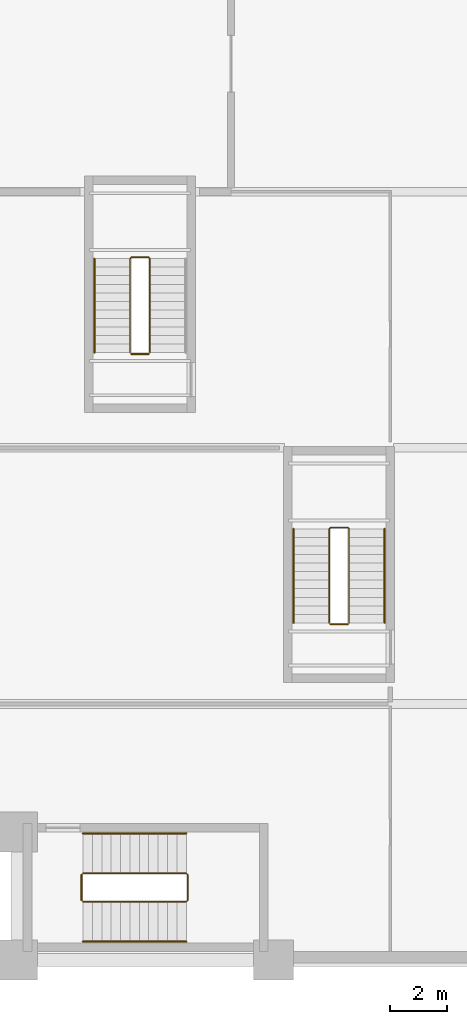
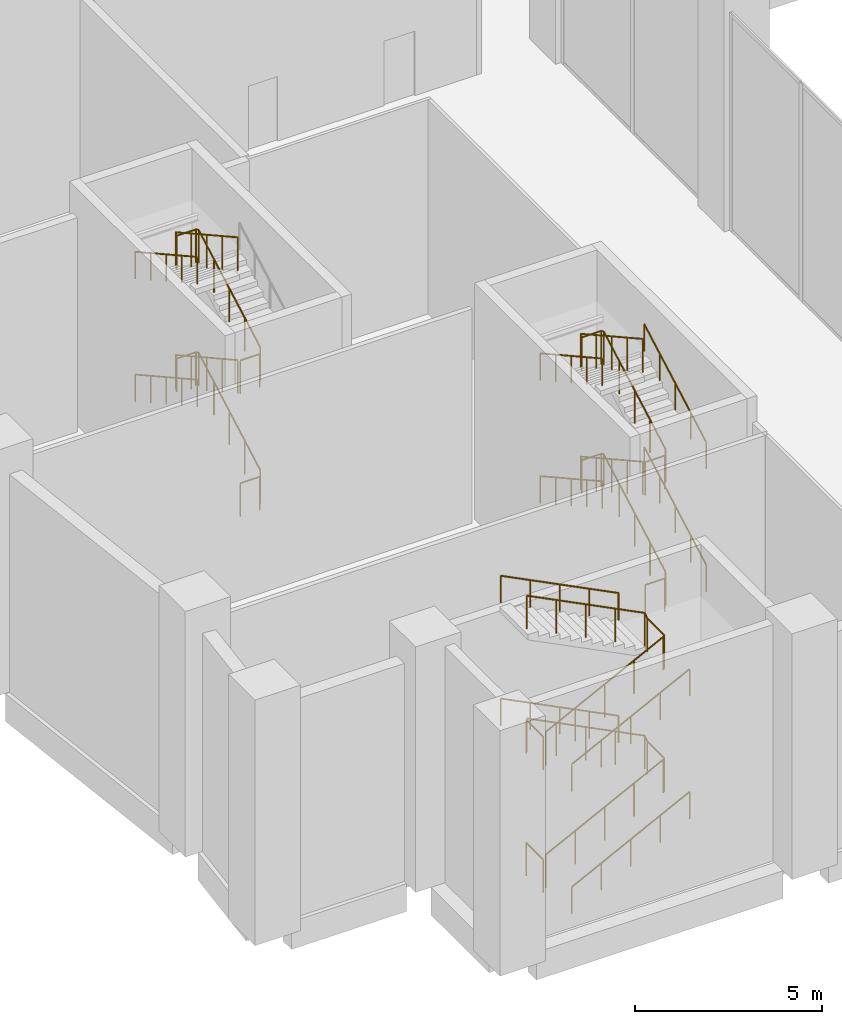
# One storey, part 16 of 19: 22 railings.
"""IFC4 building model written with IfcOpenShell, lengths in metres."""

from ifc_helpers import new_model, si_unit, direction, frame, origin, origin_2d, place, context, subcontext, project, spatial, circle, extrude, material, type_object, element, save


model = new_model("IFC4")

# Units and contexts
model_context = context("Model", 3, precision=1e-05, world=origin(), true_north=direction((0.0, 1.0)))
body_context = subcontext(model_context, "Body", "Model", "MODEL_VIEW")
ifc_project = project(units=[si_unit("LENGTHUNIT", "METRE"), si_unit("AREAUNIT", "SQUARE_METRE"), si_unit("VOLUMEUNIT", "CUBIC_METRE"), si_unit("PLANEANGLEUNIT", "RADIAN"), si_unit("MASSUNIT", "GRAM", prefix="KILO")], contexts=[model_context])

# Site, building, storey
site_placement = place(None, origin())
site = spatial("IfcSite", under=ifc_project, at=site_placement, CompositionType="ELEMENT")
building_placement = place(site_placement, origin())
building = spatial("IfcBuilding", under=site, at=building_placement, Name="Brondeck Convention Tower", CompositionType="ELEMENT")
storey_placement = place(building_placement, frame((0.0, 0.0, 19.5)))
storey = spatial("IfcBuildingStorey", under=building, at=storey_placement, Name="L03", CompositionType="ELEMENT", Elevation=19.5)

# Railings
ifc_material = material(Name="Steel S355", Category="steel")
railing_type_1 = type_object("IfcRailingType", Name="Stair guard 1100", PredefinedType="GUARDRAIL", material=ifc_material)
railing_1_placement = place(storey_placement, frame((9.14990234375, 21.35009765625, 0.166748046875)))
element("IfcRailing", 1, at=railing_1_placement, inside=storey, type_object=railing_type_1, Name="L03 ST-BE stair guard 1", PredefinedType="GUARDRAIL", context=body_context, shape_type="SweptSolid", body=[
    extrude(circle(Radius=0.02392578125, at=origin_2d()), frame((0.0, 0.0, 1.076171875), z_axis=(0.0, 0.874154225373, 0.485648422486), x_axis=(-1.0, 0.0, 0.0)), (0.0, 0.0, 1.0), 3.77490234375),
    extrude(circle(Radius=0.02392578125, at=origin_2d()), frame((0.0, 3.2998046875, 2.9091796875), z_axis=(-0.705375805398, 0.708833529934, 0.0), x_axis=(-0.708833529934, -0.705375805398, 0.0)), (0.0, 0.0, 1.0), 0.070556640625),
    extrude(circle(Radius=0.02392578125, at=origin_2d()), frame((-0.0498046875, 3.349853515625, 2.9091796875), z_axis=(-1.0, 0.0, 0.0), x_axis=(0.0, -1.0, 0.0)), (0.0, 0.0, 1.0), 0.60009765625),
    extrude(circle(Radius=0.02392578125, at=origin_2d()), frame((-0.64990234375, 3.349853515625, 2.9091796875), z_axis=(-0.27628659633, -0.27628659633, 0.920506074601), x_axis=(0.707106781187, -0.707106781187, 0.0)), (0.0, 0.0, 1.0), 0.18115234375),
    extrude(circle(Radius=0.02392578125, at=origin_2d()), frame((-0.699951171875, 3.2998046875, 3.076171875), z_axis=(0.0, -0.874154225373, 0.485648422486), x_axis=(1.0, 0.0, 0.0)), (0.0, 0.0, 1.0), 3.77490234375),
    extrude(circle(Radius=0.02099609375, at=origin_2d()), origin(), (0.0, 0.0, 1.0), 1.052001953125),
    extrude(circle(Radius=0.02099609375, at=origin_2d()), frame((0.0, 0.824951171875, 0.458251953125)), (0.0, 0.0, 1.0), 1.052001953125),
    extrude(circle(Radius=0.02099609375, at=origin_2d()), frame((0.0, 1.64990234375, 0.91650390625)), (0.0, 0.0, 1.0), 1.052001953125),
    extrude(circle(Radius=0.02099609375, at=origin_2d()), frame((0.0, 2.474853515625, 1.375)), (0.0, 0.0, 1.0), 1.052001953125),
    extrude(circle(Radius=0.02099609375, at=origin_2d()), frame((0.0, 3.2998046875, 1.833251953125)), (0.0, 0.0, 1.0), 1.052001953125),
    extrude(circle(Radius=0.02099609375, at=origin_2d()), frame((-0.0498046875, 3.349853515625, 1.833251953125)), (0.0, 0.0, 1.0), 1.052001953125),
    extrude(circle(Radius=0.02099609375, at=origin_2d()), frame((-0.64990234375, 3.349853515625, 1.833251953125)), (0.0, 0.0, 1.0), 1.052001953125),
    extrude(circle(Radius=0.02099609375, at=origin_2d()), frame((-0.699951171875, 3.2998046875, 2.0)), (0.0, 0.0, 1.0), 1.052001953125),
    extrude(circle(Radius=0.02099609375, at=origin_2d()), frame((-0.699951171875, 2.474853515625, 2.458251953125)), (0.0, 0.0, 1.0), 1.052001953125),
    extrude(circle(Radius=0.02099609375, at=origin_2d()), frame((-0.699951171875, 1.64990234375, 2.91650390625)), (0.0, 0.0, 1.0), 1.052001953125),
    extrude(circle(Radius=0.02099609375, at=origin_2d()), frame((-0.699951171875, 0.824951171875, 3.375)), (0.0, 0.0, 1.0), 1.052001953125),
    extrude(circle(Radius=0.02099609375, at=origin_2d()), frame((-0.699951171875, 0.0, 3.833251953125)), (0.0, 0.0, 1.0), 1.052001953125),
])
railing_2_placement = place(storey_placement, frame((9.10009765625, 21.300048828125, 4.0)))
element("IfcRailing", 2, at=railing_2_placement, inside=storey, type_object=railing_type_1, Name="L03 ST-BE stair guard 2", PredefinedType="GUARDRAIL", context=body_context, shape_type="SweptSolid", body=[
    extrude(circle(Radius=0.02392578125, at=origin_2d()), frame((0.0, 0.0, 1.076171875), z_axis=(-1.0, 0.0, 0.0), x_axis=(0.0, -1.0, 0.0)), (0.0, 0.0, 1.0), 0.60009765625),
    extrude(circle(Radius=0.02099609375, at=origin_2d()), origin(), (0.0, 0.0, 1.0), 1.052001953125),
    extrude(circle(Radius=0.02099609375, at=origin_2d()), frame((-0.60009765625, 0.0, 0.0)), (0.0, 0.0, 1.0), 1.052001953125),
])
railing_3_placement = place(storey_placement, frame((9.14990234375, 21.35009765625, 4.166748046875)))
element("IfcRailing", 3, at=railing_3_placement, inside=storey, type_object=railing_type_1, Name="L03 ST-BE stair guard 3", PredefinedType="GUARDRAIL", context=body_context, shape_type="SweptSolid", body=[
    extrude(circle(Radius=0.02392578125, at=origin_2d()), frame((0.0, 0.0, 1.076171875), z_axis=(0.0, 0.874154225373, 0.485648422486), x_axis=(-1.0, 0.0, 0.0)), (0.0, 0.0, 1.0), 3.77490234375),
    extrude(circle(Radius=0.02392578125, at=origin_2d()), frame((0.0, 3.2998046875, 2.9091796875), z_axis=(-0.705375805398, 0.708833529934, 0.0), x_axis=(-0.708833529934, -0.705375805398, 0.0)), (0.0, 0.0, 1.0), 0.070556640625),
    extrude(circle(Radius=0.02392578125, at=origin_2d()), frame((-0.0498046875, 3.349853515625, 2.9091796875), z_axis=(-1.0, 0.0, 0.0), x_axis=(0.0, -1.0, 0.0)), (0.0, 0.0, 1.0), 0.60009765625),
    extrude(circle(Radius=0.02392578125, at=origin_2d()), frame((-0.64990234375, 3.349853515625, 2.9091796875), z_axis=(-0.27628659633, -0.27628659633, 0.920506074601), x_axis=(0.707106781187, -0.707106781187, 0.0)), (0.0, 0.0, 1.0), 0.18115234375),
    extrude(circle(Radius=0.02392578125, at=origin_2d()), frame((-0.699951171875, 3.2998046875, 3.076171875), z_axis=(0.0, -0.874154225373, 0.485648422486), x_axis=(1.0, 0.0, 0.0)), (0.0, 0.0, 1.0), 3.77490234375),
    extrude(circle(Radius=0.02099609375, at=origin_2d()), origin(), (0.0, 0.0, 1.0), 1.052001953125),
    extrude(circle(Radius=0.02099609375, at=origin_2d()), frame((0.0, 0.824951171875, 0.458251953125)), (0.0, 0.0, 1.0), 1.052001953125),
    extrude(circle(Radius=0.02099609375, at=origin_2d()), frame((0.0, 1.64990234375, 0.91650390625)), (0.0, 0.0, 1.0), 1.052001953125),
    extrude(circle(Radius=0.02099609375, at=origin_2d()), frame((0.0, 2.474853515625, 1.375)), (0.0, 0.0, 1.0), 1.052001953125),
    extrude(circle(Radius=0.02099609375, at=origin_2d()), frame((0.0, 3.2998046875, 1.833251953125)), (0.0, 0.0, 1.0), 1.052001953125),
    extrude(circle(Radius=0.02099609375, at=origin_2d()), frame((-0.0498046875, 3.349853515625, 1.833251953125)), (0.0, 0.0, 1.0), 1.052001953125),
    extrude(circle(Radius=0.02099609375, at=origin_2d()), frame((-0.64990234375, 3.349853515625, 1.833251953125)), (0.0, 0.0, 1.0), 1.052001953125),
    extrude(circle(Radius=0.02099609375, at=origin_2d()), frame((-0.699951171875, 3.2998046875, 2.0)), (0.0, 0.0, 1.0), 1.052001953125),
    extrude(circle(Radius=0.02099609375, at=origin_2d()), frame((-0.699951171875, 2.474853515625, 2.458251953125)), (0.0, 0.0, 1.0), 1.052001953125),
    extrude(circle(Radius=0.02099609375, at=origin_2d()), frame((-0.699951171875, 1.64990234375, 2.91650390625)), (0.0, 0.0, 1.0), 1.052001953125),
    extrude(circle(Radius=0.02099609375, at=origin_2d()), frame((-0.699951171875, 0.824951171875, 3.375)), (0.0, 0.0, 1.0), 1.052001953125),
    extrude(circle(Radius=0.02099609375, at=origin_2d()), frame((-0.699951171875, 0.0, 3.833251953125)), (0.0, 0.0, 1.0), 1.052001953125),
])
railing_4_placement = place(storey_placement, frame((9.10009765625, 21.300048828125, 0.0)))
element("IfcRailing", 4, at=railing_4_placement, inside=storey, type_object=railing_type_1, Name="L03 ST-BE stair guard 4", PredefinedType="GUARDRAIL", context=body_context, shape_type="SweptSolid", body=[
    extrude(circle(Radius=0.02392578125, at=origin_2d()), frame((0.0, 0.0, 1.076171875), z_axis=(-1.0, 0.0, 0.0), x_axis=(0.0, -1.0, 0.0)), (0.0, 0.0, 1.0), 0.60009765625),
    extrude(circle(Radius=0.02099609375, at=origin_2d()), origin(), (0.0, 0.0, 1.0), 1.052001953125),
    extrude(circle(Radius=0.02099609375, at=origin_2d()), frame((-0.60009765625, 0.0, 0.0)), (0.0, 0.0, 1.0), 1.052001953125),
])
railing_5_placement = place(storey_placement, frame((16.14990234375, 11.85009765625, 0.166748046875)))
element("IfcRailing", 5, at=railing_5_placement, inside=storey, type_object=railing_type_1, Name="L03 ST-BF stair guard 1", PredefinedType="GUARDRAIL", context=body_context, shape_type="SweptSolid", body=[
    extrude(circle(Radius=0.02392578125, at=origin_2d()), frame((0.0, 0.0, 1.076171875), z_axis=(0.0, 0.874154225373, 0.485648422486), x_axis=(-1.0, 0.0, 0.0)), (0.0, 0.0, 1.0), 3.77490234375),
    extrude(circle(Radius=0.02392578125, at=origin_2d()), frame((0.0, 3.2998046875, 2.9091796875), z_axis=(-0.705375805398, 0.708833529934, 0.0), x_axis=(-0.708833529934, -0.705375805398, 0.0)), (0.0, 0.0, 1.0), 0.070556640625),
    extrude(circle(Radius=0.02392578125, at=origin_2d()), frame((-0.0498046875, 3.349853515625, 2.9091796875), z_axis=(-1.0, 0.0, 0.0), x_axis=(0.0, -1.0, 0.0)), (0.0, 0.0, 1.0), 0.60009765625),
    extrude(circle(Radius=0.02392578125, at=origin_2d()), frame((-0.64990234375, 3.349853515625, 2.9091796875), z_axis=(-0.27628659633, -0.27628659633, 0.920506074601), x_axis=(0.707106781187, -0.707106781187, 0.0)), (0.0, 0.0, 1.0), 0.18115234375),
    extrude(circle(Radius=0.02392578125, at=origin_2d()), frame((-0.699951171875, 3.2998046875, 3.076171875), z_axis=(0.0, -0.874154225373, 0.485648422486), x_axis=(1.0, 0.0, 0.0)), (0.0, 0.0, 1.0), 3.77490234375),
    extrude(circle(Radius=0.02099609375, at=origin_2d()), origin(), (0.0, 0.0, 1.0), 1.052001953125),
    extrude(circle(Radius=0.02099609375, at=origin_2d()), frame((0.0, 0.824951171875, 0.458251953125)), (0.0, 0.0, 1.0), 1.052001953125),
    extrude(circle(Radius=0.02099609375, at=origin_2d()), frame((0.0, 1.64990234375, 0.91650390625)), (0.0, 0.0, 1.0), 1.052001953125),
    extrude(circle(Radius=0.02099609375, at=origin_2d()), frame((0.0, 2.474853515625, 1.375)), (0.0, 0.0, 1.0), 1.052001953125),
    extrude(circle(Radius=0.02099609375, at=origin_2d()), frame((0.0, 3.2998046875, 1.833251953125)), (0.0, 0.0, 1.0), 1.052001953125),
    extrude(circle(Radius=0.02099609375, at=origin_2d()), frame((-0.0498046875, 3.349853515625, 1.833251953125)), (0.0, 0.0, 1.0), 1.052001953125),
    extrude(circle(Radius=0.02099609375, at=origin_2d()), frame((-0.64990234375, 3.349853515625, 1.833251953125)), (0.0, 0.0, 1.0), 1.052001953125),
    extrude(circle(Radius=0.02099609375, at=origin_2d()), frame((-0.699951171875, 3.2998046875, 2.0)), (0.0, 0.0, 1.0), 1.052001953125),
    extrude(circle(Radius=0.02099609375, at=origin_2d()), frame((-0.699951171875, 2.474853515625, 2.458251953125)), (0.0, 0.0, 1.0), 1.052001953125),
    extrude(circle(Radius=0.02099609375, at=origin_2d()), frame((-0.699951171875, 1.64990234375, 2.91650390625)), (0.0, 0.0, 1.0), 1.052001953125),
    extrude(circle(Radius=0.02099609375, at=origin_2d()), frame((-0.699951171875, 0.824951171875, 3.375)), (0.0, 0.0, 1.0), 1.052001953125),
    extrude(circle(Radius=0.02099609375, at=origin_2d()), frame((-0.699951171875, 0.0, 3.833251953125)), (0.0, 0.0, 1.0), 1.052001953125),
])
railing_6_placement = place(storey_placement, frame((16.10009765625, 11.800048828125, 4.0)))
element("IfcRailing", 6, at=railing_6_placement, inside=storey, type_object=railing_type_1, Name="L03 ST-BF stair guard 2", PredefinedType="GUARDRAIL", context=body_context, shape_type="SweptSolid", body=[
    extrude(circle(Radius=0.02392578125, at=origin_2d()), frame((0.0, 0.0, 1.076171875), z_axis=(-1.0, 0.0, 0.0), x_axis=(0.0, -1.0, 0.0)), (0.0, 0.0, 1.0), 0.60009765625),
    extrude(circle(Radius=0.02099609375, at=origin_2d()), origin(), (0.0, 0.0, 1.0), 1.052001953125),
    extrude(circle(Radius=0.02099609375, at=origin_2d()), frame((-0.60009765625, 0.0, 0.0)), (0.0, 0.0, 1.0), 1.052001953125),
])
railing_7_placement = place(storey_placement, frame((16.14990234375, 11.85009765625, 4.166748046875)))
element("IfcRailing", 7, at=railing_7_placement, inside=storey, type_object=railing_type_1, Name="L03 ST-BF stair guard 3", PredefinedType="GUARDRAIL", context=body_context, shape_type="SweptSolid", body=[
    extrude(circle(Radius=0.02392578125, at=origin_2d()), frame((0.0, 0.0, 1.076171875), z_axis=(0.0, 0.874154225373, 0.485648422486), x_axis=(-1.0, 0.0, 0.0)), (0.0, 0.0, 1.0), 3.77490234375),
    extrude(circle(Radius=0.02392578125, at=origin_2d()), frame((0.0, 3.2998046875, 2.9091796875), z_axis=(-0.705375805398, 0.708833529934, 0.0), x_axis=(-0.708833529934, -0.705375805398, 0.0)), (0.0, 0.0, 1.0), 0.070556640625),
    extrude(circle(Radius=0.02392578125, at=origin_2d()), frame((-0.0498046875, 3.349853515625, 2.9091796875), z_axis=(-1.0, 0.0, 0.0), x_axis=(0.0, -1.0, 0.0)), (0.0, 0.0, 1.0), 0.60009765625),
    extrude(circle(Radius=0.02392578125, at=origin_2d()), frame((-0.64990234375, 3.349853515625, 2.9091796875), z_axis=(-0.27628659633, -0.27628659633, 0.920506074601), x_axis=(0.707106781187, -0.707106781187, 0.0)), (0.0, 0.0, 1.0), 0.18115234375),
    extrude(circle(Radius=0.02392578125, at=origin_2d()), frame((-0.699951171875, 3.2998046875, 3.076171875), z_axis=(0.0, -0.874154225373, 0.485648422486), x_axis=(1.0, 0.0, 0.0)), (0.0, 0.0, 1.0), 3.77490234375),
    extrude(circle(Radius=0.02099609375, at=origin_2d()), origin(), (0.0, 0.0, 1.0), 1.052001953125),
    extrude(circle(Radius=0.02099609375, at=origin_2d()), frame((0.0, 0.824951171875, 0.458251953125)), (0.0, 0.0, 1.0), 1.052001953125),
    extrude(circle(Radius=0.02099609375, at=origin_2d()), frame((0.0, 1.64990234375, 0.91650390625)), (0.0, 0.0, 1.0), 1.052001953125),
    extrude(circle(Radius=0.02099609375, at=origin_2d()), frame((0.0, 2.474853515625, 1.375)), (0.0, 0.0, 1.0), 1.052001953125),
    extrude(circle(Radius=0.02099609375, at=origin_2d()), frame((0.0, 3.2998046875, 1.833251953125)), (0.0, 0.0, 1.0), 1.052001953125),
    extrude(circle(Radius=0.02099609375, at=origin_2d()), frame((-0.0498046875, 3.349853515625, 1.833251953125)), (0.0, 0.0, 1.0), 1.052001953125),
    extrude(circle(Radius=0.02099609375, at=origin_2d()), frame((-0.64990234375, 3.349853515625, 1.833251953125)), (0.0, 0.0, 1.0), 1.052001953125),
    extrude(circle(Radius=0.02099609375, at=origin_2d()), frame((-0.699951171875, 3.2998046875, 2.0)), (0.0, 0.0, 1.0), 1.052001953125),
    extrude(circle(Radius=0.02099609375, at=origin_2d()), frame((-0.699951171875, 2.474853515625, 2.458251953125)), (0.0, 0.0, 1.0), 1.052001953125),
    extrude(circle(Radius=0.02099609375, at=origin_2d()), frame((-0.699951171875, 1.64990234375, 2.91650390625)), (0.0, 0.0, 1.0), 1.052001953125),
    extrude(circle(Radius=0.02099609375, at=origin_2d()), frame((-0.699951171875, 0.824951171875, 3.375)), (0.0, 0.0, 1.0), 1.052001953125),
    extrude(circle(Radius=0.02099609375, at=origin_2d()), frame((-0.699951171875, 0.0, 3.833251953125)), (0.0, 0.0, 1.0), 1.052001953125),
])
railing_8_placement = place(storey_placement, frame((16.10009765625, 11.800048828125, 0.0)))
element("IfcRailing", 8, at=railing_8_placement, inside=storey, type_object=railing_type_1, Name="L03 ST-BF stair guard 4", PredefinedType="GUARDRAIL", context=body_context, shape_type="SweptSolid", body=[
    extrude(circle(Radius=0.02392578125, at=origin_2d()), frame((0.0, 0.0, 1.076171875), z_axis=(-1.0, 0.0, 0.0), x_axis=(0.0, -1.0, 0.0)), (0.0, 0.0, 1.0), 0.60009765625),
    extrude(circle(Radius=0.02099609375, at=origin_2d()), origin(), (0.0, 0.0, 1.0), 1.052001953125),
    extrude(circle(Radius=0.02099609375, at=origin_2d()), frame((-0.60009765625, 0.0, 0.0)), (0.0, 0.0, 1.0), 1.052001953125),
])
railing_9_placement = place(storey_placement, frame((6.800048828125, 2.050048828125, 0.166748046875)))
element("IfcRailing", 9, at=railing_9_placement, inside=storey, type_object=railing_type_1, Name="L03 PS-2 stair guard 1", PredefinedType="GUARDRAIL", context=body_context, shape_type="SweptSolid", body=[
    extrude(circle(Radius=0.02392578125, at=origin_2d()), frame((0.0, 0.0, 1.076171875), z_axis=(0.892618850087, 0.0, 0.450812143214), x_axis=(0.0, 1.0, 0.0)), (0.0, 0.0, 1.0), 4.066650390625),
    extrude(circle(Radius=0.02392578125, at=origin_2d()), frame((3.6298828125, 0.0, 2.9091796875), z_axis=(0.707106781187, 0.707106781187, 0.0), x_axis=(-0.707106781187, 0.707106781187, 0.0)), (0.0, 0.0, 1.0), 0.07080078125),
    extrude(circle(Radius=0.02392578125, at=origin_2d()), frame((3.679931640625, 0.050048828125, 2.9091796875), z_axis=(0.0, 1.0, 0.0), x_axis=(-1.0, 0.0, 0.0)), (0.0, 0.0, 1.0), 0.89990234375),
    extrude(circle(Radius=0.02392578125, at=origin_2d()), frame((3.679931640625, 0.949951171875, 2.9091796875), z_axis=(-0.27628659633, 0.27628659633, 0.920506074601), x_axis=(-0.707106781187, -0.707106781187, 0.0)), (0.0, 0.0, 1.0), 0.18115234375),
    extrude(circle(Radius=0.02392578125, at=origin_2d()), frame((3.6298828125, 1.0, 3.076171875), z_axis=(-0.892618850087, 0.0, 0.450812143214), x_axis=(0.0, -1.0, 0.0)), (0.0, 0.0, 1.0), 4.066650390625),
    extrude(circle(Radius=0.02099609375, at=origin_2d()), origin(), (0.0, 0.0, 1.0), 1.052001953125),
    extrude(circle(Radius=0.02099609375, at=origin_2d()), frame((0.907470703125, 0.0, 0.458251953125)), (0.0, 0.0, 1.0), 1.052001953125),
    extrude(circle(Radius=0.02099609375, at=origin_2d()), frame((1.81494140625, 0.0, 0.91650390625)), (0.0, 0.0, 1.0), 1.052001953125),
    extrude(circle(Radius=0.02099609375, at=origin_2d()), frame((2.722412109375, 0.0, 1.375)), (0.0, 0.0, 1.0), 1.052001953125),
    extrude(circle(Radius=0.02099609375, at=origin_2d()), frame((3.6298828125, 0.0, 1.833251953125)), (0.0, 0.0, 1.0), 1.052001953125),
    extrude(circle(Radius=0.02099609375, at=origin_2d()), frame((3.679931640625, 0.050048828125, 1.833251953125)), (0.0, 0.0, 1.0), 1.052001953125),
    extrude(circle(Radius=0.02099609375, at=origin_2d()), frame((3.679931640625, 0.949951171875, 1.833251953125)), (0.0, 0.0, 1.0), 1.052001953125),
    extrude(circle(Radius=0.02099609375, at=origin_2d()), frame((3.6298828125, 1.0, 2.0)), (0.0, 0.0, 1.0), 1.052001953125),
    extrude(circle(Radius=0.02099609375, at=origin_2d()), frame((2.722412109375, 1.0, 2.458251953125)), (0.0, 0.0, 1.0), 1.052001953125),
    extrude(circle(Radius=0.02099609375, at=origin_2d()), frame((1.81494140625, 1.0, 2.91650390625)), (0.0, 0.0, 1.0), 1.052001953125),
    extrude(circle(Radius=0.02099609375, at=origin_2d()), frame((0.907470703125, 1.0, 3.375)), (0.0, 0.0, 1.0), 1.052001953125),
    extrude(circle(Radius=0.02099609375, at=origin_2d()), frame((0.0, 1.0, 3.833251953125)), (0.0, 0.0, 1.0), 1.052001953125),
])
railing_10_placement = place(storey_placement, frame((6.75, 2.10009765625, 4.0)))
element("IfcRailing", 10, at=railing_10_placement, inside=storey, type_object=railing_type_1, Name="L03 PS-2 stair guard 2", PredefinedType="GUARDRAIL", context=body_context, shape_type="SweptSolid", body=[
    extrude(circle(Radius=0.02392578125, at=origin_2d()), frame((0.0, 0.0, 1.076171875), z_axis=(0.0, 1.0, 0.0), x_axis=(-1.0, 0.0, 0.0)), (0.0, 0.0, 1.0), 0.89990234375),
    extrude(circle(Radius=0.02099609375, at=origin_2d()), origin(), (0.0, 0.0, 1.0), 1.052001953125),
    extrude(circle(Radius=0.02099609375, at=origin_2d()), frame((0.0, 0.89990234375, 0.0)), (0.0, 0.0, 1.0), 1.052001953125),
])
railing_11_placement = place(storey_placement, frame((6.800048828125, 2.050048828125, 4.166748046875)))
element("IfcRailing", 11, at=railing_11_placement, inside=storey, type_object=railing_type_1, Name="L03 PS-2 stair guard 3", PredefinedType="GUARDRAIL", context=body_context, shape_type="SweptSolid", body=[
    extrude(circle(Radius=0.02392578125, at=origin_2d()), frame((0.0, 0.0, 1.076171875), z_axis=(0.892618850087, 0.0, 0.450812143214), x_axis=(0.0, 1.0, 0.0)), (0.0, 0.0, 1.0), 4.066650390625),
    extrude(circle(Radius=0.02392578125, at=origin_2d()), frame((3.6298828125, 0.0, 2.9091796875), z_axis=(0.707106781187, 0.707106781187, 0.0), x_axis=(-0.707106781187, 0.707106781187, 0.0)), (0.0, 0.0, 1.0), 0.07080078125),
    extrude(circle(Radius=0.02392578125, at=origin_2d()), frame((3.679931640625, 0.050048828125, 2.9091796875), z_axis=(0.0, 1.0, 0.0), x_axis=(-1.0, 0.0, 0.0)), (0.0, 0.0, 1.0), 0.89990234375),
    extrude(circle(Radius=0.02392578125, at=origin_2d()), frame((3.679931640625, 0.949951171875, 2.9091796875), z_axis=(-0.27628659633, 0.27628659633, 0.920506074601), x_axis=(-0.707106781187, -0.707106781187, 0.0)), (0.0, 0.0, 1.0), 0.18115234375),
    extrude(circle(Radius=0.02392578125, at=origin_2d()), frame((3.6298828125, 1.0, 3.076171875), z_axis=(-0.892618850087, 0.0, 0.450812143214), x_axis=(0.0, -1.0, 0.0)), (0.0, 0.0, 1.0), 4.066650390625),
    extrude(circle(Radius=0.02099609375, at=origin_2d()), origin(), (0.0, 0.0, 1.0), 1.052001953125),
    extrude(circle(Radius=0.02099609375, at=origin_2d()), frame((0.907470703125, 0.0, 0.458251953125)), (0.0, 0.0, 1.0), 1.052001953125),
    extrude(circle(Radius=0.02099609375, at=origin_2d()), frame((1.81494140625, 0.0, 0.91650390625)), (0.0, 0.0, 1.0), 1.052001953125),
    extrude(circle(Radius=0.02099609375, at=origin_2d()), frame((2.722412109375, 0.0, 1.375)), (0.0, 0.0, 1.0), 1.052001953125),
    extrude(circle(Radius=0.02099609375, at=origin_2d()), frame((3.6298828125, 0.0, 1.833251953125)), (0.0, 0.0, 1.0), 1.052001953125),
    extrude(circle(Radius=0.02099609375, at=origin_2d()), frame((3.679931640625, 0.050048828125, 1.833251953125)), (0.0, 0.0, 1.0), 1.052001953125),
    extrude(circle(Radius=0.02099609375, at=origin_2d()), frame((3.679931640625, 0.949951171875, 1.833251953125)), (0.0, 0.0, 1.0), 1.052001953125),
    extrude(circle(Radius=0.02099609375, at=origin_2d()), frame((3.6298828125, 1.0, 2.0)), (0.0, 0.0, 1.0), 1.052001953125),
    extrude(circle(Radius=0.02099609375, at=origin_2d()), frame((2.722412109375, 1.0, 2.458251953125)), (0.0, 0.0, 1.0), 1.052001953125),
    extrude(circle(Radius=0.02099609375, at=origin_2d()), frame((1.81494140625, 1.0, 2.91650390625)), (0.0, 0.0, 1.0), 1.052001953125),
    extrude(circle(Radius=0.02099609375, at=origin_2d()), frame((0.907470703125, 1.0, 3.375)), (0.0, 0.0, 1.0), 1.052001953125),
    extrude(circle(Radius=0.02099609375, at=origin_2d()), frame((0.0, 1.0, 3.833251953125)), (0.0, 0.0, 1.0), 1.052001953125),
])
railing_12_placement = place(storey_placement, frame((6.75, 2.10009765625, 0.0)))
element("IfcRailing", 12, at=railing_12_placement, inside=storey, type_object=railing_type_1, Name="L03 PS-2 stair guard 4", PredefinedType="GUARDRAIL", context=body_context, shape_type="SweptSolid", body=[
    extrude(circle(Radius=0.02392578125, at=origin_2d()), frame((0.0, 0.0, 1.076171875), z_axis=(0.0, 1.0, 0.0), x_axis=(-1.0, 0.0, 0.0)), (0.0, 0.0, 1.0), 0.89990234375),
    extrude(circle(Radius=0.02099609375, at=origin_2d()), origin(), (0.0, 0.0, 1.0), 1.052001953125),
    extrude(circle(Radius=0.02099609375, at=origin_2d()), frame((0.0, 0.89990234375, 0.0)), (0.0, 0.0, 1.0), 1.052001953125),
])
railing_type_2 = type_object("IfcRailingType", Name="Stair handrail", PredefinedType="HANDRAIL", material=ifc_material)
for number, where, name in (
    (13, (7.199951171875, 24.64990234375, 2.166748046875), "L03 ST-BE stair handrail 2"),
    (14, (7.199951171875, 24.64990234375, 6.166748046875), "L03 ST-BE stair handrail 4"),
):
    element("IfcRailing", number, at=place(storey_placement, frame(where)), inside=storey, type_object=railing_type_2, Name=name, PredefinedType="HANDRAIL", context=body_context, shape_type="SweptSolid", body=[
        extrude(circle(Radius=0.02392578125, at=origin_2d()), frame((0.0, 0.0, 0.8759765625), z_axis=(0.0, -0.874154225373, 0.485648422486), x_axis=(1.0, 0.0, 0.0)), (0.0, 0.0, 1.0), 3.77490234375),
        extrude(circle(Radius=0.02099609375, at=origin_2d()), origin(), (0.0, 0.0, 1.0), 0.851806640625),
        extrude(circle(Radius=0.02099609375, at=origin_2d()), frame((0.0, -0.824951171875, 0.458251953125)), (0.0, 0.0, 1.0), 0.851806640625),
        extrude(circle(Radius=0.02099609375, at=origin_2d()), frame((0.0, -1.64990234375, 0.91650390625)), (0.0, 0.0, 1.0), 0.851806640625),
        extrude(circle(Radius=0.02099609375, at=origin_2d()), frame((0.0, -2.474853515625, 1.375)), (0.0, 0.0, 1.0), 0.851806640625),
        extrude(circle(Radius=0.02099609375, at=origin_2d()), frame((0.0, -3.2998046875, 1.833251953125)), (0.0, 0.0, 1.0), 0.851806640625),
    ])
railing_13_placement = place(storey_placement, frame((17.39990234375, 11.85009765625, 0.166748046875)))
element("IfcRailing", 15, at=railing_13_placement, inside=storey, type_object=railing_type_2, Name="L03 ST-BF stair handrail 1", PredefinedType="HANDRAIL", context=body_context, shape_type="SweptSolid", body=[
    extrude(circle(Radius=0.02392578125, at=origin_2d()), frame((0.0, 0.0, 0.8759765625), z_axis=(0.0, 0.874154225373, 0.485648422486), x_axis=(-1.0, 0.0, 0.0)), (0.0, 0.0, 1.0), 3.77490234375),
    extrude(circle(Radius=0.02099609375, at=origin_2d()), origin(), (0.0, 0.0, 1.0), 0.851806640625),
    extrude(circle(Radius=0.02099609375, at=origin_2d()), frame((0.0, 0.824951171875, 0.458251953125)), (0.0, 0.0, 1.0), 0.851806640625),
    extrude(circle(Radius=0.02099609375, at=origin_2d()), frame((0.0, 1.64990234375, 0.91650390625)), (0.0, 0.0, 1.0), 0.851806640625),
    extrude(circle(Radius=0.02099609375, at=origin_2d()), frame((0.0, 2.474853515625, 1.375)), (0.0, 0.0, 1.0), 0.851806640625),
    extrude(circle(Radius=0.02099609375, at=origin_2d()), frame((0.0, 3.2998046875, 1.833251953125)), (0.0, 0.0, 1.0), 0.851806640625),
])
railing_14_placement = place(storey_placement, frame((14.199951171875, 15.14990234375, 2.166748046875)))
element("IfcRailing", 16, at=railing_14_placement, inside=storey, type_object=railing_type_2, Name="L03 ST-BF stair handrail 2", PredefinedType="HANDRAIL", context=body_context, shape_type="SweptSolid", body=[
    extrude(circle(Radius=0.02392578125, at=origin_2d()), frame((0.0, 0.0, 0.8759765625), z_axis=(0.0, -0.874154225373, 0.485648422486), x_axis=(1.0, 0.0, 0.0)), (0.0, 0.0, 1.0), 3.77490234375),
    extrude(circle(Radius=0.02099609375, at=origin_2d()), origin(), (0.0, 0.0, 1.0), 0.851806640625),
    extrude(circle(Radius=0.02099609375, at=origin_2d()), frame((0.0, -0.824951171875, 0.458251953125)), (0.0, 0.0, 1.0), 0.851806640625),
    extrude(circle(Radius=0.02099609375, at=origin_2d()), frame((0.0, -1.64990234375, 0.91650390625)), (0.0, 0.0, 1.0), 0.851806640625),
    extrude(circle(Radius=0.02099609375, at=origin_2d()), frame((0.0, -2.474853515625, 1.375)), (0.0, 0.0, 1.0), 0.851806640625),
    extrude(circle(Radius=0.02099609375, at=origin_2d()), frame((0.0, -3.2998046875, 1.833251953125)), (0.0, 0.0, 1.0), 0.851806640625),
])
railing_15_placement = place(storey_placement, frame((17.39990234375, 11.85009765625, 4.166748046875)))
element("IfcRailing", 17, at=railing_15_placement, inside=storey, type_object=railing_type_2, Name="L03 ST-BF stair handrail 3", PredefinedType="HANDRAIL", context=body_context, shape_type="SweptSolid", body=[
    extrude(circle(Radius=0.02392578125, at=origin_2d()), frame((0.0, 0.0, 0.8759765625), z_axis=(0.0, 0.874154225373, 0.485648422486), x_axis=(-1.0, 0.0, 0.0)), (0.0, 0.0, 1.0), 3.77490234375),
    extrude(circle(Radius=0.02099609375, at=origin_2d()), origin(), (0.0, 0.0, 1.0), 0.851806640625),
    extrude(circle(Radius=0.02099609375, at=origin_2d()), frame((0.0, 0.824951171875, 0.458251953125)), (0.0, 0.0, 1.0), 0.851806640625),
    extrude(circle(Radius=0.02099609375, at=origin_2d()), frame((0.0, 1.64990234375, 0.91650390625)), (0.0, 0.0, 1.0), 0.851806640625),
    extrude(circle(Radius=0.02099609375, at=origin_2d()), frame((0.0, 2.474853515625, 1.375)), (0.0, 0.0, 1.0), 0.851806640625),
    extrude(circle(Radius=0.02099609375, at=origin_2d()), frame((0.0, 3.2998046875, 1.833251953125)), (0.0, 0.0, 1.0), 0.851806640625),
])
railing_16_placement = place(storey_placement, frame((14.199951171875, 15.14990234375, 6.166748046875)))
element("IfcRailing", 18, at=railing_16_placement, inside=storey, type_object=railing_type_2, Name="L03 ST-BF stair handrail 4", PredefinedType="HANDRAIL", context=body_context, shape_type="SweptSolid", body=[
    extrude(circle(Radius=0.02392578125, at=origin_2d()), frame((0.0, 0.0, 0.8759765625), z_axis=(0.0, -0.874154225373, 0.485648422486), x_axis=(1.0, 0.0, 0.0)), (0.0, 0.0, 1.0), 3.77490234375),
    extrude(circle(Radius=0.02099609375, at=origin_2d()), origin(), (0.0, 0.0, 1.0), 0.851806640625),
    extrude(circle(Radius=0.02099609375, at=origin_2d()), frame((0.0, -0.824951171875, 0.458251953125)), (0.0, 0.0, 1.0), 0.851806640625),
    extrude(circle(Radius=0.02099609375, at=origin_2d()), frame((0.0, -1.64990234375, 0.91650390625)), (0.0, 0.0, 1.0), 0.851806640625),
    extrude(circle(Radius=0.02099609375, at=origin_2d()), frame((0.0, -2.474853515625, 1.375)), (0.0, 0.0, 1.0), 0.851806640625),
    extrude(circle(Radius=0.02099609375, at=origin_2d()), frame((0.0, -3.2998046875, 1.833251953125)), (0.0, 0.0, 1.0), 0.851806640625),
])
railing_17_placement = place(storey_placement, frame((6.800048828125, 0.64990234375, 0.166748046875)))
element("IfcRailing", 19, at=railing_17_placement, inside=storey, type_object=railing_type_2, Name="L03 PS-2 stair handrail 1", PredefinedType="HANDRAIL", context=body_context, shape_type="SweptSolid", body=[
    extrude(circle(Radius=0.02392578125, at=origin_2d()), frame((0.0, 0.0, 0.8759765625), z_axis=(0.892618850087, 0.0, 0.450812143214), x_axis=(0.0, 1.0, 0.0)), (0.0, 0.0, 1.0), 4.066650390625),
    extrude(circle(Radius=0.02099609375, at=origin_2d()), origin(), (0.0, 0.0, 1.0), 0.851806640625),
    extrude(circle(Radius=0.02099609375, at=origin_2d()), frame((0.907470703125, 0.0, 0.458251953125)), (0.0, 0.0, 1.0), 0.851806640625),
    extrude(circle(Radius=0.02099609375, at=origin_2d()), frame((1.81494140625, 0.0, 0.91650390625)), (0.0, 0.0, 1.0), 0.851806640625),
    extrude(circle(Radius=0.02099609375, at=origin_2d()), frame((2.722412109375, 0.0, 1.375)), (0.0, 0.0, 1.0), 0.851806640625),
    extrude(circle(Radius=0.02099609375, at=origin_2d()), frame((3.6298828125, 0.0, 1.833251953125)), (0.0, 0.0, 1.0), 0.851806640625),
])
railing_18_placement = place(storey_placement, frame((10.429931640625, 4.449951171875, 2.166748046875)))
element("IfcRailing", 20, at=railing_18_placement, inside=storey, type_object=railing_type_2, Name="L03 PS-2 stair handrail 2", PredefinedType="HANDRAIL", context=body_context, shape_type="SweptSolid", body=[
    extrude(circle(Radius=0.02392578125, at=origin_2d()), frame((0.0, 0.0, 0.8759765625), z_axis=(-0.892618850087, 0.0, 0.450812143214), x_axis=(0.0, -1.0, 0.0)), (0.0, 0.0, 1.0), 4.066650390625),
    extrude(circle(Radius=0.02099609375, at=origin_2d()), origin(), (0.0, 0.0, 1.0), 0.851806640625),
    extrude(circle(Radius=0.02099609375, at=origin_2d()), frame((-0.907470703125, 0.0, 0.458251953125)), (0.0, 0.0, 1.0), 0.851806640625),
    extrude(circle(Radius=0.02099609375, at=origin_2d()), frame((-1.81494140625, 0.0, 0.91650390625)), (0.0, 0.0, 1.0), 0.851806640625),
    extrude(circle(Radius=0.02099609375, at=origin_2d()), frame((-2.722412109375, 0.0, 1.375)), (0.0, 0.0, 1.0), 0.851806640625),
    extrude(circle(Radius=0.02099609375, at=origin_2d()), frame((-3.6298828125, 0.0, 1.833251953125)), (0.0, 0.0, 1.0), 0.851806640625),
])
railing_19_placement = place(storey_placement, frame((6.800048828125, 0.64990234375, 4.166748046875)))
element("IfcRailing", 21, at=railing_19_placement, inside=storey, type_object=railing_type_2, Name="L03 PS-2 stair handrail 3", PredefinedType="HANDRAIL", context=body_context, shape_type="SweptSolid", body=[
    extrude(circle(Radius=0.02392578125, at=origin_2d()), frame((0.0, 0.0, 0.8759765625), z_axis=(0.892618850087, 0.0, 0.450812143214), x_axis=(0.0, 1.0, 0.0)), (0.0, 0.0, 1.0), 4.066650390625),
    extrude(circle(Radius=0.02099609375, at=origin_2d()), origin(), (0.0, 0.0, 1.0), 0.851806640625),
    extrude(circle(Radius=0.02099609375, at=origin_2d()), frame((0.907470703125, 0.0, 0.458251953125)), (0.0, 0.0, 1.0), 0.851806640625),
    extrude(circle(Radius=0.02099609375, at=origin_2d()), frame((1.81494140625, 0.0, 0.91650390625)), (0.0, 0.0, 1.0), 0.851806640625),
    extrude(circle(Radius=0.02099609375, at=origin_2d()), frame((2.722412109375, 0.0, 1.375)), (0.0, 0.0, 1.0), 0.851806640625),
    extrude(circle(Radius=0.02099609375, at=origin_2d()), frame((3.6298828125, 0.0, 1.833251953125)), (0.0, 0.0, 1.0), 0.851806640625),
])
railing_20_placement = place(storey_placement, frame((10.429931640625, 4.449951171875, 6.166748046875)))
element("IfcRailing", 22, at=railing_20_placement, inside=storey, type_object=railing_type_2, Name="L03 PS-2 stair handrail 4", PredefinedType="HANDRAIL", context=body_context, shape_type="SweptSolid", body=[
    extrude(circle(Radius=0.02392578125, at=origin_2d()), frame((0.0, 0.0, 0.8759765625), z_axis=(-0.892618850087, 0.0, 0.450812143214), x_axis=(0.0, -1.0, 0.0)), (0.0, 0.0, 1.0), 4.066650390625),
    extrude(circle(Radius=0.02099609375, at=origin_2d()), origin(), (0.0, 0.0, 1.0), 0.851806640625),
    extrude(circle(Radius=0.02099609375, at=origin_2d()), frame((-0.907470703125, 0.0, 0.458251953125)), (0.0, 0.0, 1.0), 0.851806640625),
    extrude(circle(Radius=0.02099609375, at=origin_2d()), frame((-1.81494140625, 0.0, 0.91650390625)), (0.0, 0.0, 1.0), 0.851806640625),
    extrude(circle(Radius=0.02099609375, at=origin_2d()), frame((-2.722412109375, 0.0, 1.375)), (0.0, 0.0, 1.0), 0.851806640625),
    extrude(circle(Radius=0.02099609375, at=origin_2d()), frame((-3.6298828125, 0.0, 1.833251953125)), (0.0, 0.0, 1.0), 0.851806640625),
])

save(model, "model.ifc")
